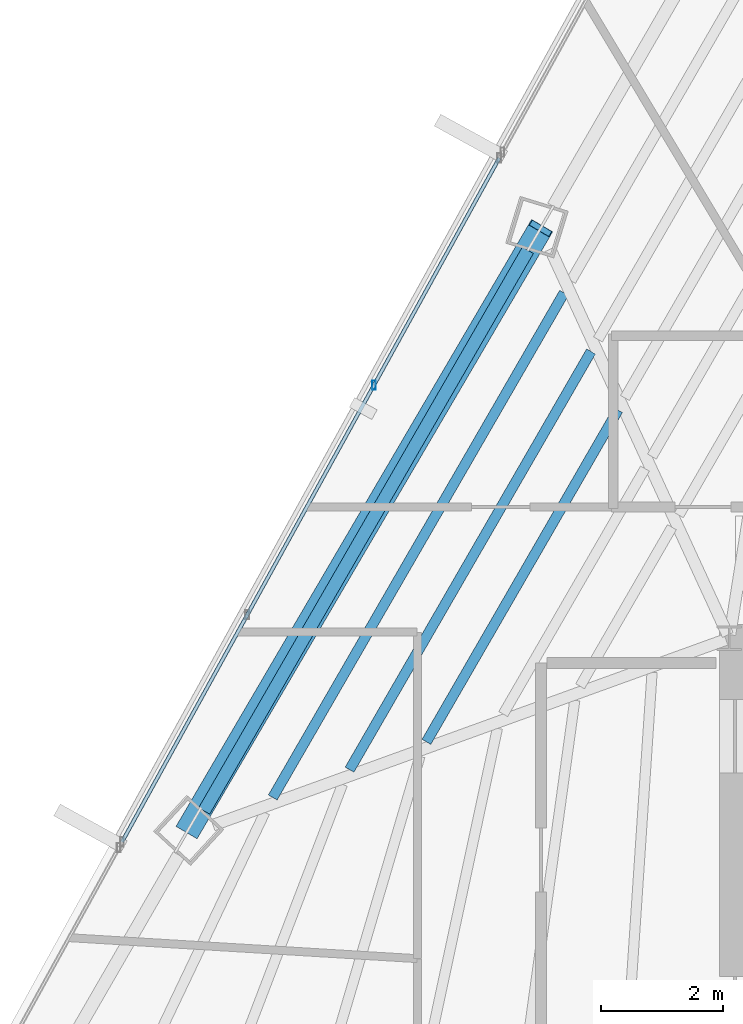
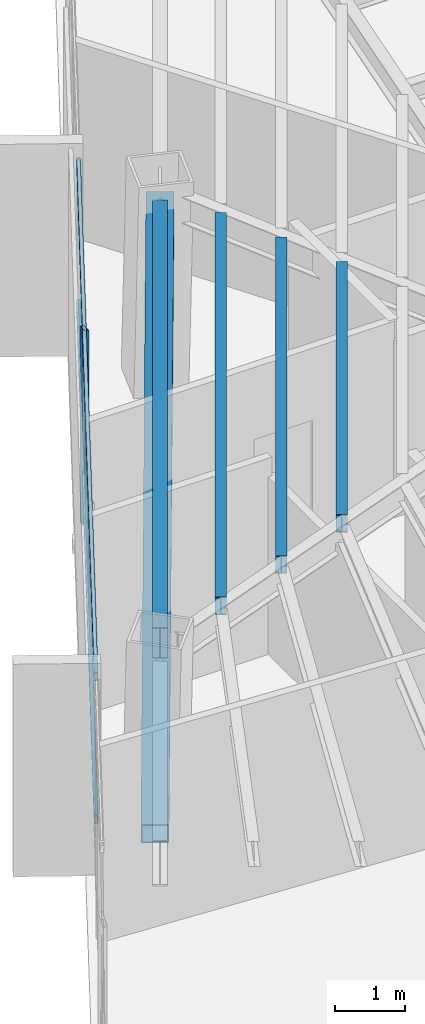
# One storey, part 15 of 41: 4 beams, 4 members, 1 element without a shape of its own.
"""IFC4 building model written with IfcOpenShell, lengths in metres."""

from ifc_helpers import new_model, si_unit, direction, frame, origin, origin_2d, place, context, subcontext, project, spatial, hollow_rectangle, i_section, extrude, source, transform, mapped, material, material_profile, profile_set, type_object, type_shapes, element, aggregate, save


model = new_model("IFC4")

# Units and contexts
model_context = context("Model", 3, precision=1e-05, world=origin(), true_north=direction((0.0, 1.0)))
body_context = subcontext(model_context, "Body", "Model", "MODEL_VIEW")
ifc_project = project(units=[si_unit("LENGTHUNIT", "METRE"), si_unit("AREAUNIT", "SQUARE_METRE"), si_unit("VOLUMEUNIT", "CUBIC_METRE"), si_unit("PLANEANGLEUNIT", "RADIAN"), si_unit("MASSUNIT", "GRAM", prefix="KILO")], contexts=[model_context])

# Site, building, storey
site_placement = place(None, origin())
site = spatial("IfcSite", under=ifc_project, at=site_placement, CompositionType="ELEMENT")
building_placement = place(site_placement, origin())
building = spatial("IfcBuilding", under=site, at=building_placement, Name="Caelisora Broadcast Tower", CompositionType="ELEMENT")
storey_placement = place(building_placement, frame((0.0, 0.0, 209.60009765625)))
storey = spatial("IfcBuildingStorey", under=building, at=storey_placement, Name="L55", CompositionType="ELEMENT", Elevation=209.60009765625)

# Beams
ifc_material_1 = material(Name="Steel Grade 350 (AS/NZS 3679.1)", Category="steel")
ifc_material_profile_1 = material_profile(ifc_material_1, i_section(OverallWidth=0.208984375, OverallDepth=0.532958984375, WebThickness=0.01025390625, FlangeThickness=0.015625, at=origin_2d()), Name="Steel Grade 350 (AS/NZS 3679.1)")
ifc_profile_set_1 = profile_set([ifc_material_profile_1], Name="Steel Grade 350 (AS/NZS 3679.1)")
beam_type_1 = type_object("IfcBeamType", Name="PG05", PredefinedType="BEAM", material=ifc_profile_set_1)
shared_shape_1 = source(origin(), body_context, "Body", "SweptSolid", [
    extrude(i_section(OverallWidth=0.208984375, OverallDepth=0.532958984375, WebThickness=0.01025390625, FlangeThickness=0.015625, at=origin_2d()), origin(), (0.0, 0.0, 1.0), 10.58984375),
])
type_shapes(beam_type_1, [shared_shape_1])
beam_1_placement = place(storey_placement, frame((27.204345703125, 36.346923828125, 3.13330078125), z_axis=(-0.499997184019, -0.866027029586, 0.0), x_axis=(0.866027029586, -0.499997184019, 0.0)))
element("IfcBeam", 1, at=beam_1_placement, inside=storey, type_object=beam_type_1, Name="L55 beam PG05", PredefinedType="BEAM", context=body_context, shape_type="MappedRepresentation", body=[
    mapped(shared_shape_1, transform((0.0, 0.0, 0.0), scale=1.0)),
])
ifc_material_profile_2 = material_profile(ifc_material_1, i_section(OverallWidth=0.166015625, OverallDepth=0.30712890625, WebThickness=0.006591796875, FlangeThickness=0.01171875, at=origin_2d()), Name="Steel Grade 350 (AS/NZS 3679.1)")
ifc_profile_set_2 = profile_set([ifc_material_profile_2], Name="Steel Grade 350 (AS/NZS 3679.1)")
beam_type_2 = type_object("IfcBeamType", Name="SB03", PredefinedType="JOIST", material=ifc_profile_set_2)
shared_shape_2 = source(origin(), body_context, "Body", "SweptSolid", [
    extrude(i_section(OverallWidth=0.166015625, OverallDepth=0.30712890625, WebThickness=0.006591796875, FlangeThickness=0.01171875, at=origin_2d()), origin(), (0.0, 0.0, 1.0), 6.267333984375),
])
beam_2_placement = place(storey_placement, frame((28.6787109375, 33.73388671875, 3.246337890625), z_axis=(-0.500010190713, -0.866019520094, 0.0), x_axis=(0.866019520094, -0.500010190713, 0.0)))
element("IfcBeam", 2, at=beam_2_placement, inside=storey, type_object=beam_type_2, Name="L55 beam SB03", PredefinedType="JOIST", context=body_context, shape_type="MappedRepresentation", body=[
    mapped(shared_shape_2, transform((0.0, 0.0, 0.0), scale=1.0)),
])
shared_shape_3 = source(origin(), body_context, "Body", "SweptSolid", [
    extrude(i_section(OverallWidth=0.166015625, OverallDepth=0.30712890625, WebThickness=0.006591796875, FlangeThickness=0.01171875, at=origin_2d()), origin(), (0.0, 0.0, 1.0), 7.899169921875),
])
beam_3_placement = place(storey_placement, frame((28.237548828125, 34.692138671875, 3.246337890625), z_axis=(-0.500014961832, -0.866016765394, 0.0), x_axis=(0.866016765394, -0.500014961832, 0.0)))
element("IfcBeam", 3, at=beam_3_placement, inside=storey, type_object=beam_type_2, Name="L55 beam SB03", PredefinedType="JOIST", context=body_context, shape_type="MappedRepresentation", body=[
    mapped(shared_shape_3, transform((0.0, 0.0, 0.0), scale=1.0)),
])
shared_shape_4 = source(origin(), body_context, "Body", "SweptSolid", [
    extrude(i_section(OverallWidth=0.166015625, OverallDepth=0.30712890625, WebThickness=0.006591796875, FlangeThickness=0.01171875, at=origin_2d()), origin(), (0.0, 0.0, 1.0), 9.531005859375),
])
type_shapes(beam_type_2, [shared_shape_2, shared_shape_3, shared_shape_4])
beam_4_placement = place(storey_placement, frame((27.79638671875, 35.650390625, 3.246337890625), z_axis=(-0.499987795774, -0.866032449783, 0.0), x_axis=(0.866032449783, -0.499987795774, 0.0)))
element("IfcBeam", 4, at=beam_4_placement, inside=storey, type_object=beam_type_2, Name="L55 beam SB03", PredefinedType="JOIST", context=body_context, shape_type="MappedRepresentation", body=[
    mapped(shared_shape_4, transform((0.0, 0.0, 0.0), scale=1.0)),
])

# Member
ifc_material_2 = material(Name="Steel Grade 450 (AS/NZS 1163 C450L0)", Category="steel")
ifc_material_profile_3 = material_profile(ifc_material_2, hollow_rectangle(XDim=0.39990234375, YDim=0.39990234375, WallThickness=0.01611328125, at=origin_2d()), Name="Steel Grade 450 (AS/NZS 1163 C450L0)")
ifc_profile_set_3 = profile_set([ifc_material_profile_3], Name="Steel Grade 450 (AS/NZS 1163 C450L0)")
member_type_1 = type_object("IfcMemberType", Name="BR04", PredefinedType="BRACE", material=ifc_profile_set_3)
shared_shape_5 = source(origin(), body_context, "Body", "SweptSolid", [
    extrude(hollow_rectangle(XDim=0.39990234375, YDim=0.39990234375, WallThickness=0.01611328125, at=origin_2d()), origin(), (0.0, 0.0, 1.0), 11.793701171875),
])
type_shapes(member_type_1, [shared_shape_5])
member_1_placement = place(storey_placement, frame((27.412353515625, 36.707275390625, 3.099853515625), z_axis=(-0.488853278362, -0.834455881888, -0.254373452658), x_axis=(0.862838017027, -0.50548052027, 0.0)))
element("IfcMember", 5, at=member_1_placement, inside=storey, type_object=member_type_1, Name="L55 perimeter brace BR04", PredefinedType="BRACE", context=body_context, shape_type="MappedRepresentation", body=[
    mapped(shared_shape_5, transform((0.0, 0.0, 0.0), scale=1.0)),
])

# Curtain wall, members
ifc_material_3 = material(Name="Unitised Aluminium Insulated Shadow-Box Spandrel Curtain Wall", Category="aluminium")
curtain_wall_type = type_object("IfcCurtainWallType", Name="CW-SP2", PredefinedType="NOTDEFINED", material=ifc_material_3)
curtain_wall_placement = place(storey_placement, origin())
curtain_wall = element("IfcCurtainWall", 6, at=curtain_wall_placement, inside=storey, type_object=curtain_wall_type, Name="L55 curtain wall CW-SP2", PredefinedType="NOTDEFINED")
ifc_material_4 = material(Name="Aluminium 6063-T6 Anodised Terracotta Bronze", Category="aluminium")
ifc_material_profile_4 = material_profile(ifc_material_4, hollow_rectangle(XDim=0.06005859375, YDim=0.14990234375, WallThickness=0.00341796875, at=origin_2d()), Name="Aluminium 6063-T6 Anodised Terracotta Bronze")
ifc_profile_set_4 = profile_set([ifc_material_profile_4], Name="Aluminium 6063-T6 Anodised Terracotta Bronze")
member_type_2 = type_object("IfcMemberType", Name="CWM-03", PredefinedType="MULLION", material=ifc_profile_set_4)
shared_shape_6 = source(origin(), body_context, "Body", "SweptSolid", [
    extrude(hollow_rectangle(XDim=0.06005859375, YDim=0.14990234375, WallThickness=0.00341796875, at=origin_2d()), origin(), (0.0, 0.0, 1.0), 3.39990234375),
])
type_shapes(member_type_2, [shared_shape_6])
member_2_placement = place(storey_placement, frame((24.687744140625, 34.141845703125, 0.0), z_axis=(0.0, 0.0, 1.0), x_axis=(1.0, 0.0, 0.0)))
member_2 = element("IfcMember", 7, at=member_2_placement, type_object=member_type_2, Name="L55-CW-B10 mullion #2", PredefinedType="MULLION", context=body_context, shape_type="MappedRepresentation", body=[
    mapped(shared_shape_6, transform((0.0, 0.0, 0.0), scale=1.0)),
])
ifc_material_profile_5 = material_profile(ifc_material_4, hollow_rectangle(XDim=0.06005859375, YDim=0.14990234375, WallThickness=0.00341796875, at=origin_2d()), Name="Aluminium 6063-T6 Anodised Terracotta Bronze")
ifc_profile_set_5 = profile_set([ifc_material_profile_5], Name="Aluminium 6063-T6 Anodised Terracotta Bronze")
member_type_3 = type_object("IfcMemberType", Name="CWT-02", PredefinedType="USERDEFINED", material=ifc_profile_set_5)
shared_shape_7 = source(origin(), body_context, "Body", "SweptSolid", [
    extrude(hollow_rectangle(XDim=0.06005859375, YDim=0.14990234375, WallThickness=0.00341796875, at=origin_2d()), origin(), (0.0, 0.0, 1.0), 12.777099609375),
])
type_shapes(member_type_3, [shared_shape_7])
member_3_placement = place(storey_placement, frame((20.5654296875, 26.668701171875, 0.849853515625), z_axis=(0.483007633522, 0.87561614076, 0.0), x_axis=(-0.87561614076, 0.483007633522, 0.0)))
member_3 = element("IfcMember", 8, at=member_3_placement, type_object=member_type_3, Name="L55-CW-B10 transom #1", ObjectType="TRANSOM", PredefinedType="USERDEFINED", context=body_context, shape_type="MappedRepresentation", body=[
    mapped(shared_shape_7, transform((0.0, 0.0, 0.0), scale=1.0)),
])
member_4_placement = place(storey_placement, frame((20.5654296875, 26.668701171875, 3.31982421875), z_axis=(0.483007633522, 0.87561614076, 0.0), x_axis=(-0.87561614076, 0.483007633522, 0.0)))
member_4 = element("IfcMember", 9, at=member_4_placement, type_object=member_type_3, Name="L55-CW-B10 transom #2", ObjectType="TRANSOM", PredefinedType="USERDEFINED", context=body_context, shape_type="MappedRepresentation", body=[
    mapped(shared_shape_7, transform((0.0, 0.0, 0.0), scale=1.0)),
])
aggregate(curtain_wall, [member_2, member_3, member_4])

save(model, "model.ifc")
